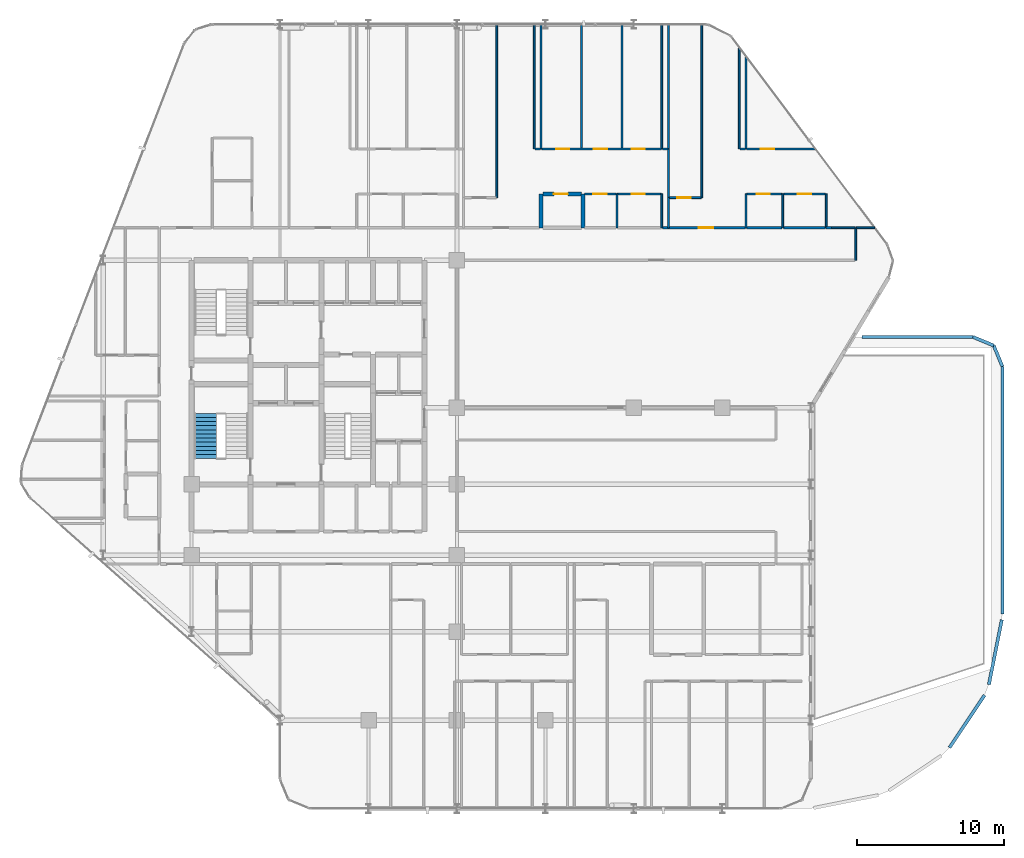
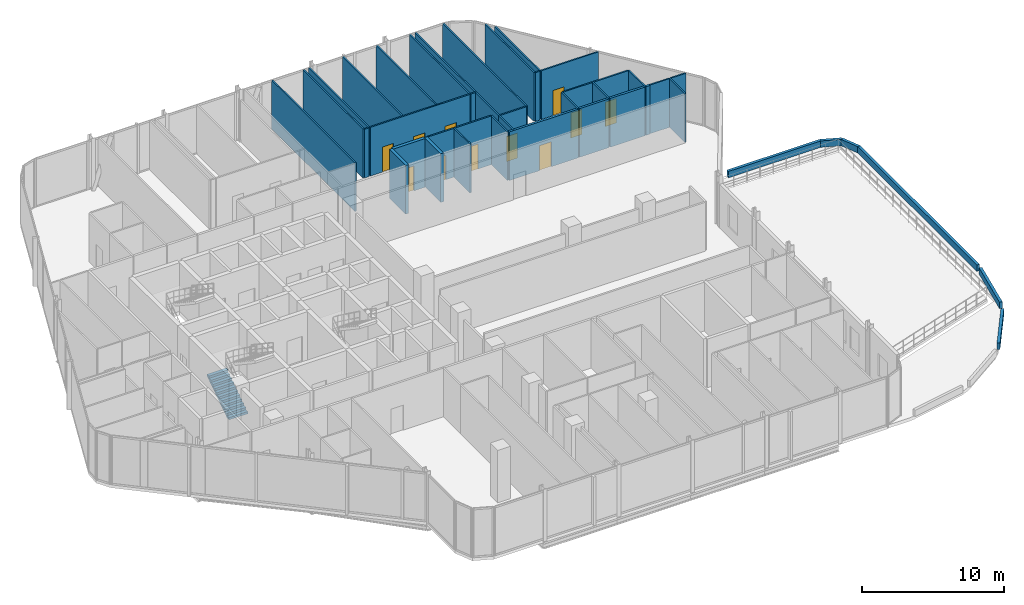
# One storey, part 27 of 30: 43 walls, 11 doors, 1 stair flight, 11 openings, 1 element without a shape of its own.
"""IFC4 building model written with IfcOpenShell, lengths in metres."""

from ifc_helpers import new_model, si_unit, direction, frame, frame_2d, origin, place, context, subcontext, project, spatial, polyline, rectangle, outline, extrude, material, layer, layer_set, type_object, element, fill, aggregate, save


model = new_model("IFC4")

# Units and contexts
model_context = context("Model", 3, precision=1e-05, world=origin(), true_north=direction((0.0, 1.0)))
body_context = subcontext(model_context, "Body", "Model", "MODEL_VIEW")
ifc_project = project(units=[si_unit("LENGTHUNIT", "METRE"), si_unit("AREAUNIT", "SQUARE_METRE"), si_unit("VOLUMEUNIT", "CUBIC_METRE"), si_unit("PLANEANGLEUNIT", "RADIAN"), si_unit("MASSUNIT", "GRAM", prefix="KILO")], contexts=[model_context])

# Site, building, storey
site_placement = place(None, origin())
site = spatial("IfcSite", under=ifc_project, at=site_placement, CompositionType="ELEMENT")
building_placement = place(site_placement, origin())
building = spatial("IfcBuilding", under=site, at=building_placement, Name="Keshet Zoharim Tower", CompositionType="ELEMENT")
storey_placement = place(building_placement, frame((0.0, 0.0, 86.39990234375)))
storey = spatial("IfcBuildingStorey", under=building, at=storey_placement, Name="L20", CompositionType="ELEMENT", Elevation=86.39990234375)

# Wall, opening, door
ifc_material_1 = material(Name="Gypsum Plasterboard", Category="gypsum")
ifc_layer_1 = layer(ifc_material_1, 0.179931640625)
ifc_layer_set_1 = layer_set([ifc_layer_1], Name="Gypsum Plasterboard")
wall_type_1 = type_object("IfcWallType", Name="WL-CORR-180", PredefinedType="STANDARD", material=ifc_layer_set_1)
wall_1_placement = place(storey_placement, frame((46.955078125, 40.10009765625, 0.0), z_axis=(0.0, 0.0, 1.0), x_axis=(1.0, 0.0, 0.0)))
wall_1 = element("IfcWall", 1, at=wall_1_placement, inside=storey, type_object=wall_type_1, Name="L20 Interior Wall 194", PredefinedType="STANDARD", context=body_context, shape_type="SweptSolid", body=[
    extrude(rectangle(XDim=5.60986328125, YDim=0.179931640625, at=frame_2d((2.804931640625, 0.0))), origin(), (0.0, 0.0, 1.0), 4.18505859375),
])
opening_1_placement = place(wall_1_placement, frame((2.43505859375, 0.0, 0.0)))
opening_1 = element("IfcOpeningElement", 2, at=opening_1_placement, cuts=wall_1, Name="Opening D-F310", PredefinedType="OPENING", context=body_context, shape_type="SweptSolid", body=[
    extrude(rectangle(XDim=1.0, YDim=2.14990234375, at=frame_2d((0.5, 1.074951171875))), frame((0.0, 0.10009765625, 0.0), z_axis=(0.0, -1.0, 0.0), x_axis=(1.0, 0.0, 0.0)), (0.0, 0.0, 1.0), 0.199951171875),
])
ifc_material_2 = material(Name="Hardwood Timber", Category="wood")
door_type_1 = type_object("IfcDoorType", Name="DR-FD30-100", OperationType="NOTDEFINED", PredefinedType="DOOR", material=ifc_material_2)
door_1_placement = place(opening_1_placement, origin())
door_1 = element("IfcDoor", 3, at=door_1_placement, inside=storey, type_object=door_type_1, Name="Apartment 2007 Entrance Door", OperationType="SINGLE_SWING_RIGHT", OverallHeight=2.14990234375, OverallWidth=1.0, PredefinedType="DOOR", context=body_context, shape_type="SweptSolid", body=[
    extrude(rectangle(XDim=1.0, YDim=2.14990234375, at=frame_2d((0.5, 1.074951171875))), frame((0.0, 0.02490234375, 0.0), z_axis=(0.0, -1.0, 0.0), x_axis=(1.0, 0.0, 0.0)), (0.0, 0.0, 1.0), 0.050048828125),
])
fill(opening_1, door_1)

# Walls
wall_2_placement = place(storey_placement, frame((52.655029296875, 40.10009765625, 0.0), z_axis=(0.0, 0.0, 1.0), x_axis=(1.0, 0.0, 0.0)))
element("IfcWall", 4, at=wall_2_placement, inside=storey, type_object=wall_type_1, Name="L20 Interior Wall 195", PredefinedType="STANDARD", context=body_context, shape_type="SweptSolid", body=[
    extrude(rectangle(XDim=2.406982421875, YDim=0.179931640625, at=frame_2d((1.20361328125, 0.0))), origin(), (0.0, 0.0, 1.0), 4.18505859375),
])
wall_3_placement = place(storey_placement, frame((55.152099609375, 40.10009765625, 0.0), z_axis=(0.0, 0.0, 1.0), x_axis=(1.0, 0.0, 0.0)))
element("IfcWall", 5, at=wall_3_placement, inside=storey, type_object=wall_type_1, Name="L20 Interior Wall 196", PredefinedType="STANDARD", context=body_context, shape_type="SweptSolid", body=[
    extrude(rectangle(XDim=2.8408203125, YDim=0.179931640625, at=frame_2d((1.42041015625, 0.0))), origin(), (0.0, 0.0, 1.0), 4.18505859375),
])
wall_4_placement = place(storey_placement, frame((58.050048828125, 40.10009765625, 0.0), z_axis=(0.0, 0.0, 1.0), x_axis=(1.0, 0.0, 0.0)))
element("IfcWall", 6, at=wall_4_placement, inside=storey, type_object=wall_type_1, Name="L20 Interior Wall 197", PredefinedType="STANDARD", context=body_context, shape_type="SweptSolid", body=[
    extrude(rectangle(XDim=0.349853515625, YDim=0.179931640625, at=frame_2d((0.1748046875, 0.0))), origin(), (0.0, 0.0, 1.0), 4.18505859375),
])
ifc_material_3 = material(Name="Concrete C50/60", Category="concrete")
ifc_layer_2 = layer(ifc_material_3, 0.25)
ifc_layer_set_2 = layer_set([ifc_layer_2], Name="Concrete C50/60")
wall_type_2 = type_object("IfcWallType", Name="WL-MAMAD-250", PredefinedType="STANDARD", material=ifc_layer_set_2)
for number, where, z_axis, x_axis, name in (
    (7, (38.699951171875, 40.10009765625, 0.0), (0.0, 0.0, 1.0), (0.0, 1.0, 0.0), "L20 Interior Wall 081"),
    (8, (41.550048828125, 40.10009765625, 0.0), (0.0, 0.0, 1.0), (0.0, 1.0, 0.0), "L20 Interior Wall 089"),
):
    element("IfcWall", number, at=place(storey_placement, frame(where, z_axis=z_axis, x_axis=x_axis)), inside=storey, type_object=wall_type_2, Name=name, PredefinedType="STANDARD", context=body_context, shape_type="SweptSolid", body=[
        extrude(rectangle(XDim=2.2998046875, YDim=0.25, at=frame_2d((1.14990234375, 0.0))), origin(), (0.0, 0.0, 1.0), 4.18505859375),
    ])

# Wall, opening, door
wall_5_placement = place(storey_placement, frame((38.820068359375, 42.39990234375, 0.0), z_axis=(0.0, 0.0, 1.0), x_axis=(1.0, 0.0, 0.0)))
wall_5 = element("IfcWall", 9, at=wall_5_placement, inside=storey, type_object=wall_type_2, Name="L20 Interior Wall 204", PredefinedType="STANDARD", context=body_context, shape_type="SweptSolid", body=[
    extrude(rectangle(XDim=2.616943359375, YDim=0.25, at=frame_2d((1.30859375, 0.0))), origin(), (0.0, 0.0, 1.0), 4.18505859375),
])
opening_2_placement = place(wall_5_placement, frame((0.758056640625, 0.0, 0.0)))
opening_2 = element("IfcOpeningElement", 10, at=opening_2_placement, cuts=wall_5, Name="Opening D-F695", PredefinedType="OPENING", context=body_context, shape_type="SweptSolid", body=[
    extrude(rectangle(XDim=0.949951171875, YDim=2.14990234375, at=frame_2d((0.47509765625, 1.074951171875))), frame((0.0, 0.135009765625, 0.0), z_axis=(0.0, -1.0, 0.0), x_axis=(1.0, 0.0, 0.0)), (0.0, 0.0, 1.0), 0.27001953125),
])
door_type_2 = type_object("IfcDoorType", Name="DR-FD60-095", OperationType="NOTDEFINED", PredefinedType="DOOR", material=ifc_material_2)
door_2_placement = place(opening_2_placement, origin())
door_2 = element("IfcDoor", 11, at=door_2_placement, inside=storey, type_object=door_type_2, Name="Apartment 2006 Study and Shelter Room Door", OperationType="SINGLE_SWING_LEFT", OverallHeight=2.14990234375, OverallWidth=0.949951171875, PredefinedType="DOOR", context=body_context, shape_type="SweptSolid", body=[
    extrude(rectangle(XDim=0.949951171875, YDim=2.14990234375, at=frame_2d((0.47509765625, 1.074951171875))), frame((0.0, 0.02490234375, 0.0), z_axis=(0.0, -1.0, 0.0), x_axis=(1.0, 0.0, 0.0)), (0.0, 0.0, 1.0), 0.050048828125),
])
fill(opening_2, door_2)

# Walls
ifc_material_4 = material(Name="Concrete C50/60 precast", Category="concrete")
ifc_layer_3 = layer(ifc_material_4, 0.219970703125)
ifc_layer_set_3 = layer_set([ifc_layer_3], Name="Concrete C50/60 precast")
wall_type_3 = type_object("IfcWallType", Name="WL-PAR-220", PredefinedType="PARAPET", material=ifc_layer_set_3)
for number, where, z_axis, x_axis, name in (
    (12, (68.0, 32.699951171875, 0.0), (0.0, 0.0, 1.0), (0.92383017907, -0.382802560388, 0.0), "L20 Setback Roof Parapet 01"),
    (13, (69.4140625, 32.114013671875, 0.0), (0.0, 0.0, 1.0), (0.382802560388, -0.92383017907, 0.0), "L20 Setback Roof Parapet 02"),
):
    element("IfcWall", number, at=place(storey_placement, frame(where, z_axis=z_axis, x_axis=x_axis)), inside=storey, type_object=wall_type_3, Name=name, PredefinedType="PARAPET", context=body_context, shape_type="SweptSolid", body=[
        extrude(rectangle(XDim=1.53076171875, YDim=0.219970703125, at=frame_2d((0.765380859375, 0.0))), origin(), (0.0, 0.0, 1.0), 0.550048828125),
    ])
wall_6_placement = place(storey_placement, frame((70.0, 30.699951171875, 0.0), z_axis=(0.0, 0.0, 1.0), x_axis=(0.0, -1.0, 0.0)))
element("IfcWall", 14, at=wall_6_placement, inside=storey, type_object=wall_type_3, Name="L20 Setback Roof Parapet 03", PredefinedType="PARAPET", context=body_context, shape_type="SweptSolid", body=[
    extrude(rectangle(XDim=16.802978515625, YDim=0.219970703125, at=frame_2d((8.4013671875, 0.0))), origin(), (0.0, 0.0, 1.0), 0.550048828125),
])
wall_7_placement = place(storey_placement, frame((69.9619140625, 13.507080078125, 0.0), z_axis=(0.0, 0.0, 1.0), x_axis=(-0.195172473082, -0.980768935963, 0.0)))
element("IfcWall", 15, at=wall_7_placement, inside=storey, type_object=wall_type_3, Name="L20 Setback Roof Parapet 04", PredefinedType="PARAPET", context=body_context, shape_type="SweptSolid", body=[
    extrude(rectangle(XDim=4.478271484375, YDim=0.219970703125, at=frame_2d((2.2392578125, 0.0))), origin(), (0.0, 0.0, 1.0), 0.550048828125),
])
wall_8_placement = place(storey_placement, frame((68.7890625, 8.39404296875, 0.0), z_axis=(0.0, 0.0, 1.0), x_axis=(-0.555543000532, -0.831487807824, 0.0)))
element("IfcWall", 16, at=wall_8_placement, inside=storey, type_object=wall_type_3, Name="L20 Setback Roof Parapet 05", PredefinedType="PARAPET", context=body_context, shape_type="SweptSolid", body=[
    extrude(rectangle(XDim=4.27685546875, YDim=0.219970703125, at=frame_2d((2.138427734375, 0.0))), origin(), (0.0, 0.0, 1.0), 0.550048828125),
])
wall_9_placement = place(storey_placement, frame((60.486083984375, 32.699951171875, 0.0), z_axis=(0.0, 0.0, 1.0), x_axis=(1.0, 0.0, 0.0)))
element("IfcWall", 17, at=wall_9_placement, inside=storey, type_object=wall_type_3, Name="L20 Setback Roof Parapet 08", PredefinedType="PARAPET", context=body_context, shape_type="SweptSolid", body=[
    extrude(rectangle(XDim=7.513916015625, YDim=0.219970703125, at=frame_2d((3.7568359375, 0.0))), origin(), (0.0, 0.0, 1.0), 0.550048828125),
])
ifc_layer_4 = layer(ifc_material_1, 0.1201171875)
ifc_layer_set_4 = layer_set([ifc_layer_4], Name="Gypsum Plasterboard")
wall_type_4 = type_object("IfcWallType", Name="WL-PART-120", PredefinedType="PARTITIONING", material=ifc_layer_set_4)
wall_10_placement = place(storey_placement, frame((35.699951171875, 42.14990234375, 0.0), z_axis=(0.0, 0.0, 1.0), x_axis=(0.0, 1.0, 0.0)))
element("IfcWall", 18, at=wall_10_placement, inside=storey, type_object=wall_type_4, Name="L20 Interior Wall 077", PredefinedType="PARTITIONING", context=body_context, shape_type="SweptSolid", body=[
    extrude(rectangle(XDim=11.739990234375, YDim=0.1201171875, at=frame_2d((5.8701171875, 0.0))), origin(), (0.0, 0.0, 1.0), 4.18505859375),
])
for number, where, z_axis, x_axis, name in (
    (19, (38.25, 45.449951171875, 0.0), (0.0, 0.0, 1.0), (0.0, 1.0, 0.0), "L20 Interior Wall 080"),
    (20, (38.699951171875, 45.449951171875, 0.0), (0.0, 0.0, 1.0), (0.0, 1.0, 0.0), "L20 Interior Wall 082"),
    (21, (41.449951171875, 45.449951171875, 0.0), (0.0, 0.0, 1.0), (0.0, 1.0, 0.0), "L20 Interior Wall 088"),
    (22, (44.199951171875, 45.449951171875, 0.0), (0.0, 0.0, 1.0), (0.0, 1.0, 0.0), "L20 Interior Wall 092"),
):
    element("IfcWall", number, at=place(storey_placement, frame(where, z_axis=z_axis, x_axis=x_axis)), inside=storey, type_object=wall_type_4, Name=name, PredefinedType="PARTITIONING", context=body_context, shape_type="SweptSolid", body=[
        extrude(rectangle(XDim=8.43994140625, YDim=0.1201171875, at=frame_2d((4.219970703125, 0.0))), origin(), (0.0, 0.0, 1.0), 4.18505859375),
    ])
wall_11_placement = place(storey_placement, frame((46.89990234375, 40.10009765625, 0.0), z_axis=(0.0, 0.0, 1.0), x_axis=(0.0, 1.0, 0.0)))
element("IfcWall", 23, at=wall_11_placement, inside=storey, type_object=wall_type_4, Name="L20 Interior Wall 096", PredefinedType="PARTITIONING", context=body_context, shape_type="SweptSolid", body=[
    extrude(rectangle(XDim=2.2998046875, YDim=0.1201171875, at=frame_2d((1.14990234375, 0.0))), origin(), (0.0, 0.0, 1.0), 4.18505859375),
])
wall_12_placement = place(storey_placement, frame((46.89990234375, 45.449951171875, 0.0), z_axis=(0.0, 0.0, 1.0), x_axis=(0.0, 1.0, 0.0)))
element("IfcWall", 24, at=wall_12_placement, inside=storey, type_object=wall_type_4, Name="L20 Interior Wall 097", PredefinedType="PARTITIONING", context=body_context, shape_type="SweptSolid", body=[
    extrude(rectangle(XDim=8.43994140625, YDim=0.1201171875, at=frame_2d((4.219970703125, 0.0))), origin(), (0.0, 0.0, 1.0), 4.18505859375),
])
wall_13_placement = place(storey_placement, frame((47.35009765625, 40.10009765625, 0.0), z_axis=(0.0, 0.0, 1.0), x_axis=(0.0, 1.0, 0.0)))
element("IfcWall", 25, at=wall_13_placement, inside=storey, type_object=wall_type_4, Name="L20 Interior Wall 098", PredefinedType="PARTITIONING", context=body_context, shape_type="SweptSolid", body=[
    extrude(rectangle(XDim=2.0498046875, YDim=0.1201171875, at=frame_2d((1.02490234375, 0.0))), origin(), (0.0, 0.0, 1.0), 4.18505859375),
])
wall_14_placement = place(storey_placement, frame((47.35009765625, 42.14990234375, 0.0), z_axis=(0.0, 0.0, 1.0), x_axis=(0.0, 1.0, 0.0)))
element("IfcWall", 26, at=wall_14_placement, inside=storey, type_object=wall_type_4, Name="L20 Interior Wall 099", PredefinedType="PARTITIONING", context=body_context, shape_type="SweptSolid", body=[
    extrude(rectangle(XDim=3.300048828125, YDim=0.1201171875, at=frame_2d((1.64990234375, 0.0))), origin(), (0.0, 0.0, 1.0), 4.18505859375),
])
wall_15_placement = place(storey_placement, frame((47.35009765625, 45.449951171875, 0.0), z_axis=(0.0, 0.0, 1.0), x_axis=(0.0, 1.0, 0.0)))
element("IfcWall", 27, at=wall_15_placement, inside=storey, type_object=wall_type_4, Name="L20 Interior Wall 100", PredefinedType="PARTITIONING", context=body_context, shape_type="SweptSolid", body=[
    extrude(rectangle(XDim=8.43994140625, YDim=0.1201171875, at=frame_2d((4.219970703125, 0.0))), origin(), (0.0, 0.0, 1.0), 4.18505859375),
])
wall_16_placement = place(storey_placement, frame((49.60009765625, 42.14990234375, 0.0), z_axis=(0.0, 0.0, 1.0), x_axis=(0.0, 1.0, 0.0)))
element("IfcWall", 28, at=wall_16_placement, inside=storey, type_object=wall_type_4, Name="L20 Interior Wall 102", PredefinedType="PARTITIONING", context=body_context, shape_type="SweptSolid", body=[
    extrude(rectangle(XDim=11.739990234375, YDim=0.1201171875, at=frame_2d((5.8701171875, 0.0))), origin(), (0.0, 0.0, 1.0), 4.18505859375),
])
wall_17_placement = place(storey_placement, frame((52.14990234375, 45.449951171875, 0.0), z_axis=(0.0, 0.0, 1.0), x_axis=(0.0, 1.0, 0.0)))
element("IfcWall", 29, at=wall_17_placement, inside=storey, type_object=wall_type_4, Name="L20 Interior Wall 105", PredefinedType="PARTITIONING", context=body_context, shape_type="SweptSolid", body=[
    extrude(rectangle(XDim=6.906982421875, YDim=0.1201171875, at=frame_2d((3.45361328125, 0.0))), origin(), (0.0, 0.0, 1.0), 4.18505859375),
])
wall_18_placement = place(storey_placement, frame((52.60009765625, 40.10009765625, 0.0), z_axis=(0.0, 0.0, 1.0), x_axis=(0.0, 1.0, 0.0)))
element("IfcWall", 30, at=wall_18_placement, inside=storey, type_object=wall_type_4, Name="L20 Interior Wall 106", PredefinedType="PARTITIONING", context=body_context, shape_type="SweptSolid", body=[
    extrude(rectangle(XDim=2.2998046875, YDim=0.1201171875, at=frame_2d((1.14990234375, 0.0))), origin(), (0.0, 0.0, 1.0), 4.18505859375),
])
wall_19_placement = place(storey_placement, frame((52.60009765625, 45.449951171875, 0.0), z_axis=(0.0, 0.0, 1.0), x_axis=(0.0, 1.0, 0.0)))
element("IfcWall", 31, at=wall_19_placement, inside=storey, type_object=wall_type_4, Name="L20 Interior Wall 107", PredefinedType="PARTITIONING", context=body_context, shape_type="SweptSolid", body=[
    extrude(rectangle(XDim=6.30712890625, YDim=0.1201171875, at=frame_2d((3.153564453125, 0.0))), origin(), (0.0, 0.0, 1.0), 4.18505859375),
])
wall_20_placement = place(storey_placement, frame((60.050048828125, 37.889892578125, 0.0), z_axis=(0.0, 0.0, 1.0), x_axis=(0.0, 1.0, 0.0)))
element("IfcWall", 32, at=wall_20_placement, inside=storey, type_object=wall_type_4, Name="L20 Interior Wall 115", PredefinedType="PARTITIONING", context=body_context, shape_type="SweptSolid", body=[
    extrude(rectangle(XDim=2.2001953125, YDim=0.1201171875, at=frame_2d((1.10009765625, 0.0))), origin(), (0.0, 0.0, 1.0), 4.18505859375),
])
wall_21_placement = place(storey_placement, frame((58.39990234375, 40.10009765625, 0.0), z_axis=(0.0, 0.0, 1.0), x_axis=(1.0, 0.0, 0.0)))
element("IfcWall", 33, at=wall_21_placement, inside=storey, type_object=wall_type_4, Name="L20 Interior Wall 198", PredefinedType="PARTITIONING", context=body_context, shape_type="SweptSolid", body=[
    extrude(rectangle(XDim=1.60498046875, YDim=0.1201171875, at=frame_2d((0.802490234375, 0.0))), origin(), (0.0, 0.0, 1.0), 4.18505859375),
])
wall_22_placement = place(storey_placement, frame((60.094970703125, 40.10009765625, 0.0), z_axis=(0.0, 0.0, 1.0), x_axis=(1.0, 0.0, 0.0)))
element("IfcWall", 34, at=wall_22_placement, inside=storey, type_object=wall_type_4, Name="L20 Interior Wall 199", PredefinedType="PARTITIONING", context=body_context, shape_type="SweptSolid", body=[
    extrude(rectangle(XDim=1.2451171875, YDim=0.1201171875, at=frame_2d((0.62255859375, 0.0))), origin(), (0.0, 0.0, 1.0), 4.18505859375),
])

# Wall, opening, door
wall_23_placement = place(storey_placement, frame((47.405029296875, 42.14990234375, 0.0), z_axis=(0.0, 0.0, 1.0), x_axis=(1.0, 0.0, 0.0)))
wall_23 = element("IfcWall", 35, at=wall_23_placement, inside=storey, type_object=wall_type_4, Name="L20 Interior Wall 201", PredefinedType="PARTITIONING", context=body_context, shape_type="SweptSolid", body=[
    extrude(rectangle(XDim=2.159912109375, YDim=0.1201171875, at=frame_2d((1.080078125, 0.0))), origin(), (0.0, 0.0, 1.0), 4.18505859375),
])
opening_3_placement = place(wall_23_placement, frame((0.552978515625, 0.0, 0.0)))
opening_3 = element("IfcOpeningElement", 36, at=opening_3_placement, cuts=wall_23, Name="Opening D-IN90", PredefinedType="OPENING", context=body_context, shape_type="SweptSolid", body=[
    extrude(rectangle(XDim=0.89990234375, YDim=2.14990234375, at=frame_2d((0.449951171875, 1.074951171875))), frame((0.0, 0.070068359375, 0.0), z_axis=(0.0, -1.0, 0.0), x_axis=(1.0, 0.0, 0.0)), (0.0, 0.0, 1.0), 0.14013671875),
])
door_type_3 = type_object("IfcDoorType", Name="DR-INT-090", OperationType="NOTDEFINED", PredefinedType="DOOR", material=ifc_material_2)
door_3_placement = place(opening_3_placement, origin())
door_3 = element("IfcDoor", 37, at=door_3_placement, inside=storey, type_object=door_type_3, Name="Apartment 2007 Formal Dining Room Door", OperationType="SINGLE_SWING_RIGHT", OverallHeight=2.14990234375, OverallWidth=0.89990234375, PredefinedType="DOOR", context=body_context, shape_type="SweptSolid", body=[
    extrude(rectangle(XDim=0.89990234375, YDim=2.14990234375, at=frame_2d((0.449951171875, 1.074951171875))), frame((0.0, 0.02490234375, 0.0), z_axis=(0.0, -1.0, 0.0), x_axis=(1.0, 0.0, 0.0)), (0.0, 0.0, 1.0), 0.050048828125),
])
fill(opening_3, door_3)

wall_24_placement = place(storey_placement, frame((43.887939453125, 42.39990234375, 0.0), z_axis=(0.0, 0.0, 1.0), x_axis=(1.0, 0.0, 0.0)))
wall_24 = element("IfcWall", 38, at=wall_24_placement, inside=storey, type_object=wall_type_4, Name="L20 Interior Wall 206", PredefinedType="PARTITIONING", context=body_context, shape_type="SweptSolid", body=[
    extrude(rectangle(XDim=2.97705078125, YDim=0.1201171875, at=frame_2d((1.488525390625, 0.0))), origin(), (0.0, 0.0, 1.0), 4.18505859375),
])
opening_4_placement = place(wall_24_placement, frame((0.964111328125, 0.0, 0.0)))
opening_4 = element("IfcOpeningElement", 39, at=opening_4_placement, cuts=wall_24, Name="Opening D-IN90", PredefinedType="OPENING", context=body_context, shape_type="SweptSolid", body=[
    extrude(rectangle(XDim=0.89990234375, YDim=2.14990234375, at=frame_2d((0.449951171875, 1.074951171875))), frame((0.0, 0.070068359375, 0.0), z_axis=(0.0, -1.0, 0.0), x_axis=(1.0, 0.0, 0.0)), (0.0, 0.0, 1.0), 0.14013671875),
])
door_4_placement = place(opening_4_placement, origin())
door_4 = element("IfcDoor", 40, at=door_4_placement, inside=storey, type_object=door_type_3, Name="Apartment 2006 Kitchen Door", OperationType="SINGLE_SWING_LEFT", OverallHeight=2.14990234375, OverallWidth=0.89990234375, PredefinedType="DOOR", context=body_context, shape_type="SweptSolid", body=[
    extrude(rectangle(XDim=0.89990234375, YDim=2.14990234375, at=frame_2d((0.449951171875, 1.074951171875))), frame((0.0, 0.02490234375, 0.0), z_axis=(0.0, -1.0, 0.0), x_axis=(1.0, 0.0, 0.0)), (0.0, 0.0, 1.0), 0.050048828125),
])
fill(opening_4, door_4)

wall_25_placement = place(storey_placement, frame((52.655029296875, 42.39990234375, 0.0), z_axis=(0.0, 0.0, 1.0), x_axis=(1.0, 0.0, 0.0)))
wall_25 = element("IfcWall", 41, at=wall_25_placement, inside=storey, type_object=wall_type_4, Name="L20 Interior Wall 207", PredefinedType="PARTITIONING", context=body_context, shape_type="SweptSolid", body=[
    extrude(rectangle(XDim=2.406982421875, YDim=0.1201171875, at=frame_2d((1.20361328125, 0.0))), origin(), (0.0, 0.0, 1.0), 4.18505859375),
])
opening_5_placement = place(wall_25_placement, frame((0.677001953125, 0.0, 0.0)))
opening_5 = element("IfcOpeningElement", 42, at=opening_5_placement, cuts=wall_25, Name="Opening D-IN90", PredefinedType="OPENING", context=body_context, shape_type="SweptSolid", body=[
    extrude(rectangle(XDim=0.89990234375, YDim=2.14990234375, at=frame_2d((0.449951171875, 1.074951171875))), frame((0.0, 0.070068359375, 0.0), z_axis=(0.0, -1.0, 0.0), x_axis=(1.0, 0.0, 0.0)), (0.0, 0.0, 1.0), 0.14013671875),
])
door_5_placement = place(opening_5_placement, origin())
door_5 = element("IfcDoor", 43, at=door_5_placement, inside=storey, type_object=door_type_3, Name="Apartment 2007 Kitchen Door", OperationType="SINGLE_SWING_RIGHT", OverallHeight=2.14990234375, OverallWidth=0.89990234375, PredefinedType="DOOR", context=body_context, shape_type="SweptSolid", body=[
    extrude(rectangle(XDim=0.89990234375, YDim=2.14990234375, at=frame_2d((0.449951171875, 1.074951171875))), frame((0.0, 0.02490234375, 0.0), z_axis=(0.0, -1.0, 0.0), x_axis=(1.0, 0.0, 0.0)), (0.0, 0.0, 1.0), 0.050048828125),
])
fill(opening_5, door_5)

# Wall
wall_26_placement = place(storey_placement, frame((38.304931640625, 45.449951171875, 0.0), z_axis=(0.0, 0.0, 1.0), x_axis=(1.0, 0.0, 0.0)))
element("IfcWall", 44, at=wall_26_placement, inside=storey, type_object=wall_type_4, Name="L20 Interior Wall 213", PredefinedType="PARTITIONING", context=body_context, shape_type="SweptSolid", body=[
    extrude(rectangle(XDim=0.360107421875, YDim=0.1201171875, at=frame_2d((0.18017578125, 0.0))), origin(), (0.0, 0.0, 1.0), 4.18505859375),
])

# Wall, openings, doors
wall_27_placement = place(storey_placement, frame((38.7548828125, 45.449951171875, 0.0), z_axis=(0.0, 0.0, 1.0), x_axis=(1.0, 0.0, 0.0)))
wall_27 = element("IfcWall", 45, at=wall_27_placement, inside=storey, type_object=wall_type_4, Name="L20 Interior Wall 214", PredefinedType="PARTITIONING", context=body_context, shape_type="SweptSolid", body=[
    extrude(rectangle(XDim=8.110107421875, YDim=0.1201171875, at=frame_2d((4.05517578125, 0.0))), origin(), (0.0, 0.0, 1.0), 4.18505859375),
])
opening_6_placement = place(wall_27_placement, frame((0.97509765625, 0.0, 0.0)))
opening_6 = element("IfcOpeningElement", 46, at=opening_6_placement, cuts=wall_27, Name="Opening D-IN90", PredefinedType="OPENING", context=body_context, shape_type="SweptSolid", body=[
    extrude(rectangle(XDim=0.89990234375, YDim=2.14990234375, at=frame_2d((0.449951171875, 1.074951171875))), frame((0.0, 0.070068359375, 0.0), z_axis=(0.0, -1.0, 0.0), x_axis=(1.0, 0.0, 0.0)), (0.0, 0.0, 1.0), 0.14013671875),
])
opening_7_placement = place(wall_27_placement, frame((3.531005859375, 0.0, 0.0)))
opening_7 = element("IfcOpeningElement", 47, at=opening_7_placement, cuts=wall_27, Name="Opening D-IN90", PredefinedType="OPENING", context=body_context, shape_type="SweptSolid", body=[
    extrude(rectangle(XDim=0.89990234375, YDim=2.14990234375, at=frame_2d((0.449951171875, 1.074951171875))), frame((0.0, 0.070068359375, 0.0), z_axis=(0.0, -1.0, 0.0), x_axis=(1.0, 0.0, 0.0)), (0.0, 0.0, 1.0), 0.14013671875),
])
opening_8_placement = place(wall_27_placement, frame((6.092041015625, 0.0, 0.0)))
opening_8 = element("IfcOpeningElement", 48, at=opening_8_placement, cuts=wall_27, Name="Opening D-IN90", PredefinedType="OPENING", context=body_context, shape_type="SweptSolid", body=[
    extrude(rectangle(XDim=0.89990234375, YDim=2.14990234375, at=frame_2d((0.449951171875, 1.074951171875))), frame((0.0, 0.070068359375, 0.0), z_axis=(0.0, -1.0, 0.0), x_axis=(1.0, 0.0, 0.0)), (0.0, 0.0, 1.0), 0.14013671875),
])
door_6_placement = place(opening_6_placement, origin())
door_6 = element("IfcDoor", 49, at=door_6_placement, inside=storey, type_object=door_type_3, Name="Apartment 2006 Bedroom 1 Door", OperationType="SINGLE_SWING_RIGHT", OverallHeight=2.14990234375, OverallWidth=0.89990234375, PredefinedType="DOOR", context=body_context, shape_type="SweptSolid", body=[
    extrude(rectangle(XDim=0.89990234375, YDim=2.14990234375, at=frame_2d((0.449951171875, 1.074951171875))), frame((0.0, 0.02490234375, 0.0), z_axis=(0.0, -1.0, 0.0), x_axis=(1.0, 0.0, 0.0)), (0.0, 0.0, 1.0), 0.050048828125),
])
fill(opening_6, door_6)
door_7_placement = place(opening_7_placement, origin())
door_7 = element("IfcDoor", 50, at=door_7_placement, inside=storey, type_object=door_type_3, Name="Apartment 2006 Bedroom 2 Door", OperationType="SINGLE_SWING_LEFT", OverallHeight=2.14990234375, OverallWidth=0.89990234375, PredefinedType="DOOR", context=body_context, shape_type="SweptSolid", body=[
    extrude(rectangle(XDim=0.89990234375, YDim=2.14990234375, at=frame_2d((0.449951171875, 1.074951171875))), frame((0.0, 0.02490234375, 0.0), z_axis=(0.0, -1.0, 0.0), x_axis=(1.0, 0.0, 0.0)), (0.0, 0.0, 1.0), 0.050048828125),
])
fill(opening_7, door_7)
door_8_placement = place(opening_8_placement, origin())
door_8 = element("IfcDoor", 51, at=door_8_placement, inside=storey, type_object=door_type_3, Name="Apartment 2006 Bedroom 3 Door", OperationType="SINGLE_SWING_RIGHT", OverallHeight=2.14990234375, OverallWidth=0.89990234375, PredefinedType="DOOR", context=body_context, shape_type="SweptSolid", body=[
    extrude(rectangle(XDim=0.89990234375, YDim=2.14990234375, at=frame_2d((0.449951171875, 1.074951171875))), frame((0.0, 0.02490234375, 0.0), z_axis=(0.0, -1.0, 0.0), x_axis=(1.0, 0.0, 0.0)), (0.0, 0.0, 1.0), 0.050048828125),
])
fill(opening_8, door_8)

# Walls
for number, where, z_axis, x_axis, name in (
    (52, (46.955078125, 45.449951171875, 0.0), (0.0, 0.0, 1.0), (1.0, 0.0, 0.0), "L20 Interior Wall 215"),
    (53, (52.205078125, 45.449951171875, 0.0), (0.0, 0.0, 1.0), (1.0, 0.0, 0.0), "L20 Interior Wall 216"),
):
    element("IfcWall", number, at=place(storey_placement, frame(where, z_axis=z_axis, x_axis=x_axis)), inside=storey, type_object=wall_type_4, Name=name, PredefinedType="PARTITIONING", context=body_context, shape_type="SweptSolid", body=[
        extrude(rectangle(XDim=0.35986328125, YDim=0.1201171875, at=frame_2d((0.179931640625, 0.0))), origin(), (0.0, 0.0, 1.0), 4.18505859375),
    ])

# Wall, opening, door
wall_28_placement = place(storey_placement, frame((52.655029296875, 45.449951171875, 0.0), z_axis=(0.0, 0.0, 1.0), x_axis=(1.0, 0.0, 0.0)))
wall_28 = element("IfcWall", 54, at=wall_28_placement, inside=storey, type_object=wall_type_4, Name="L20 Interior Wall 217", PredefinedType="PARTITIONING", context=body_context, shape_type="SweptSolid", body=[
    extrude(rectangle(XDim=4.6728515625, YDim=0.1201171875, at=frame_2d((2.33642578125, 0.0))), origin(), (0.0, 0.0, 1.0), 4.18505859375),
])
opening_9_placement = place(wall_28_placement, frame((0.967041015625, 0.0, 0.0)))
opening_9 = element("IfcOpeningElement", 55, at=opening_9_placement, cuts=wall_28, Name="Opening D-IN90", PredefinedType="OPENING", context=body_context, shape_type="SweptSolid", body=[
    extrude(rectangle(XDim=0.89990234375, YDim=2.14990234375, at=frame_2d((0.449951171875, 1.074951171875))), frame((0.0, 0.070068359375, 0.0), z_axis=(0.0, -1.0, 0.0), x_axis=(1.0, 0.0, 0.0)), (0.0, 0.0, 1.0), 0.14013671875),
])
door_9_placement = place(opening_9_placement, origin())
door_9 = element("IfcDoor", 56, at=door_9_placement, inside=storey, type_object=door_type_3, Name="Apartment 2007 Bedroom 1 Door", OperationType="SINGLE_SWING_LEFT", OverallHeight=2.14990234375, OverallWidth=0.89990234375, PredefinedType="DOOR", context=body_context, shape_type="SweptSolid", body=[
    extrude(rectangle(XDim=0.89990234375, YDim=2.14990234375, at=frame_2d((0.449951171875, 1.074951171875))), frame((0.0, 0.02490234375, 0.0), z_axis=(0.0, -1.0, 0.0), x_axis=(1.0, 0.0, 0.0)), (0.0, 0.0, 1.0), 0.050048828125),
])
fill(opening_9, door_9)

# Walls
ifc_layer_5 = layer(ifc_material_1, 0.1201171875)
ifc_layer_set_5 = layer_set([ifc_layer_5], Name="Gypsum Plasterboard")
wall_type_5 = type_object("IfcWallType", Name="WL-WET-120", PredefinedType="PARTITIONING", material=ifc_layer_set_5)
for number, where, z_axis, x_axis, name in (
    (57, (43.85009765625, 40.10009765625, 0.0), (0.0, 0.0, 1.0), (0.0, 1.0, 0.0), "L20 Interior Wall 091"),
    (58, (55.10009765625, 40.10009765625, 0.0), (0.0, 0.0, 1.0), (0.0, 1.0, 0.0), "L20 Interior Wall 112"),
    (59, (58.050048828125, 40.10009765625, 0.0), (0.0, 0.0, 1.0), (0.0, 1.0, 0.0), "L20 Interior Wall 114"),
):
    element("IfcWall", number, at=place(storey_placement, frame(where, z_axis=z_axis, x_axis=x_axis)), inside=storey, type_object=wall_type_5, Name=name, PredefinedType="PARTITIONING", context=body_context, shape_type="SweptSolid", body=[
        extrude(rectangle(XDim=2.2998046875, YDim=0.1201171875, at=frame_2d((1.14990234375, 0.0))), origin(), (0.0, 0.0, 1.0), 4.18505859375),
    ])

# Wall, opening, door
wall_29_placement = place(storey_placement, frame((41.656982421875, 42.39990234375, 0.0), z_axis=(0.0, 0.0, 1.0), x_axis=(1.0, 0.0, 0.0)))
wall_29 = element("IfcWall", 60, at=wall_29_placement, inside=storey, type_object=wall_type_5, Name="L20 Interior Wall 205", PredefinedType="PARTITIONING", context=body_context, shape_type="SweptSolid", body=[
    extrude(rectangle(XDim=2.14111328125, YDim=0.1201171875, at=frame_2d((1.070556640625, 0.0))), origin(), (0.0, 0.0, 1.0), 4.18505859375),
])
opening_10_placement = place(wall_29_placement, frame((0.587890625, 0.0, 0.0)))
opening_10 = element("IfcOpeningElement", 61, at=opening_10_placement, cuts=wall_29, Name="Opening D-WT90", PredefinedType="OPENING", context=body_context, shape_type="SweptSolid", body=[
    extrude(rectangle(XDim=0.89990234375, YDim=2.10009765625, at=frame_2d((0.449951171875, 1.050048828125))), frame((0.0, 0.070068359375, 0.0), z_axis=(0.0, -1.0, 0.0), x_axis=(1.0, 0.0, 0.0)), (0.0, 0.0, 1.0), 0.14013671875),
])
door_type_4 = type_object("IfcDoorType", Name="DR-WET-090", OperationType="NOTDEFINED", PredefinedType="DOOR", material=ifc_material_2)
door_10_placement = place(opening_10_placement, origin())
door_10 = element("IfcDoor", 62, at=door_10_placement, inside=storey, type_object=door_type_4, Name="Apartment 2006 Bathroom Door", OperationType="SINGLE_SWING_RIGHT", OverallHeight=2.10009765625, OverallWidth=0.89990234375, PredefinedType="DOOR", context=body_context, shape_type="SweptSolid", body=[
    extrude(rectangle(XDim=0.89990234375, YDim=2.10009765625, at=frame_2d((0.449951171875, 1.050048828125))), frame((0.0, 0.02490234375, 0.0), z_axis=(0.0, -1.0, 0.0), x_axis=(1.0, 0.0, 0.0)), (0.0, 0.0, 1.0), 0.050048828125),
])
fill(opening_10, door_10)

wall_30_placement = place(storey_placement, frame((55.152099609375, 42.39990234375, 0.0), z_axis=(0.0, 0.0, 1.0), x_axis=(1.0, 0.0, 0.0)))
wall_30 = element("IfcWall", 63, at=wall_30_placement, inside=storey, type_object=wall_type_5, Name="L20 Interior Wall 208", PredefinedType="PARTITIONING", context=body_context, shape_type="SweptSolid", body=[
    extrude(rectangle(XDim=2.8408203125, YDim=0.1201171875, at=frame_2d((1.42041015625, 0.0))), origin(), (0.0, 0.0, 1.0), 4.18505859375),
])
opening_11_placement = place(wall_30_placement, frame((0.969970703125, 0.0, 0.0)))
opening_11 = element("IfcOpeningElement", 64, at=opening_11_placement, cuts=wall_30, Name="Opening D-WT90", PredefinedType="OPENING", context=body_context, shape_type="SweptSolid", body=[
    extrude(rectangle(XDim=0.89990234375, YDim=2.10009765625, at=frame_2d((0.449951171875, 1.050048828125))), frame((0.0, 0.070068359375, 0.0), z_axis=(0.0, -1.0, 0.0), x_axis=(1.0, 0.0, 0.0)), (0.0, 0.0, 1.0), 0.14013671875),
])
door_11_placement = place(opening_11_placement, origin())
door_11 = element("IfcDoor", 65, at=door_11_placement, inside=storey, type_object=door_type_4, Name="Apartment 2007 Bathroom Door", OperationType="SINGLE_SWING_LEFT", OverallHeight=2.10009765625, OverallWidth=0.89990234375, PredefinedType="DOOR", context=body_context, shape_type="SweptSolid", body=[
    extrude(rectangle(XDim=0.89990234375, YDim=2.10009765625, at=frame_2d((0.449951171875, 1.050048828125))), frame((0.0, 0.02490234375, 0.0), z_axis=(0.0, -1.0, 0.0), x_axis=(1.0, 0.0, 0.0)), (0.0, 0.0, 1.0), 0.050048828125),
])
fill(opening_11, door_11)

# Stair, stair flight
stair_type = type_object("IfcStairType", Name="STR-EXIT-135", PredefinedType="HALF_TURN_STAIR", material=ifc_material_3)
stair_placement = place(storey_placement, origin())
stair = element("IfcStair", 66, at=stair_placement, inside=storey, type_object=stair_type, Name="L20 Enclosed Exit Stair ST-01", PredefinedType="HALF_TURN_STAIR")
stair_flight_type = type_object("IfcStairFlightType", Name="FLT-PRE-135", PredefinedType="STRAIGHT", material=ifc_material_3)
stair_flight_placement = place(storey_placement, frame((15.945068359375, 24.43994140625, 0.0), z_axis=(0.0, 0.0, 1.0), x_axis=(0.0, 1.0, 0.0)))
stair_flight = element("IfcStairFlight", 67, at=stair_flight_placement, type_object=stair_flight_type, Name="ST-01 flight 1", NumberOfRisers=12, NumberOfTreads=11, PredefinedType="STRAIGHT", RiserHeight=0.1875, TreadLength=0.28, context=body_context, shape_type="SweptSolid", body=[
    extrude(outline(polyline([(0.0, 0.0), (0.0, 0.1875), (0.280029296875, 0.1875), (0.280029296875, 0.375), (0.56005859375, 0.375), (0.56005859375, 0.5625), (0.840087890625, 0.5625), (0.840087890625, 0.75), (1.1201171875, 0.75), (1.1201171875, 0.9375), (1.39990234375, 0.9375), (1.39990234375, 1.125), (1.679931640625, 1.125), (1.679931640625, 1.3125), (1.9599609375, 1.3125), (1.9599609375, 1.5), (2.239990234375, 1.5), (2.239990234375, 1.6875), (2.52001953125, 1.6875), (2.52001953125, 1.875), (2.800048828125, 1.875), (2.800048828125, 2.0625), (3.080078125, 2.0625), (3.080078125, 2.25), (3.080078125, 1.8701171875), (0.287353515625, 0.0), (0.0, 0.0)])), frame((0.0, 0.76513671875, 0.0), z_axis=(0.0, -1.0, 0.0), x_axis=(1.0, 0.0, 0.0)), (0.0, 0.0, 1.0), 1.530029296875),
])
aggregate(stair, [stair_flight])

save(model, "model.ifc")
